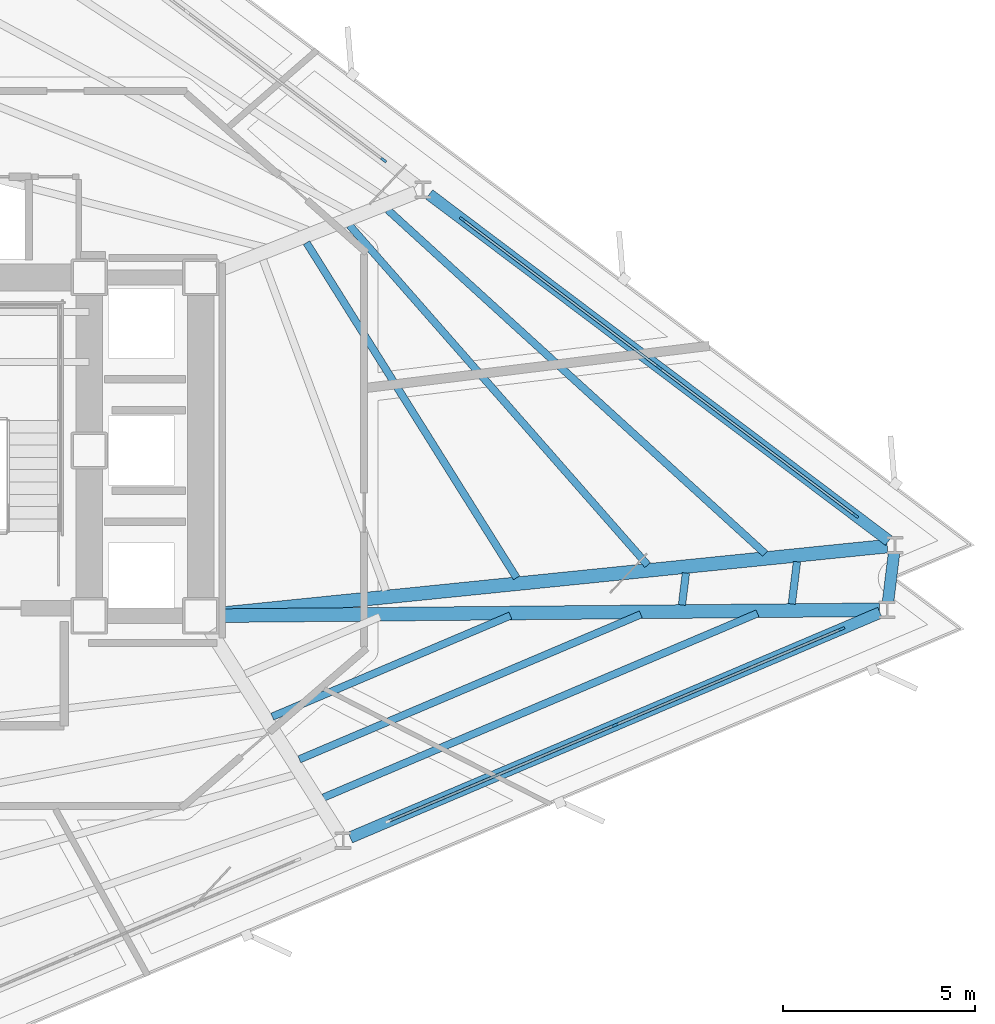
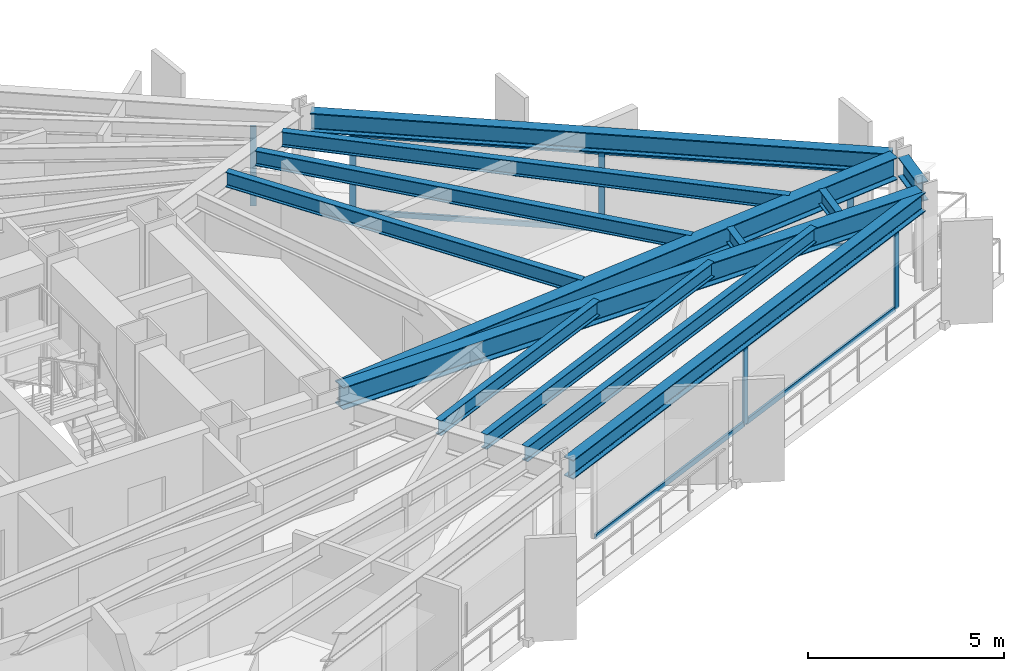
# One storey, part 4 of 13: 14 members, 13 beams, 3 elements without a shape of their own.
"""IFC4 building model written with IfcOpenShell, lengths in metres."""

from ifc_helpers import new_model, si_unit, direction, frame, origin, origin_2d, place, context, subcontext, project, spatial, rectangle, i_section, extrude, material, layer, layer_set, material_profile, profile_set, type_object, element, aggregate, save


model = new_model("IFC4")

# Units and contexts
model_context = context("Model", 3, precision=1e-05, world=origin(), true_north=direction((0.0, 1.0)))
body_context = subcontext(model_context, "Body", "Model", "MODEL_VIEW")
ifc_project = project(units=[si_unit("LENGTHUNIT", "METRE"), si_unit("AREAUNIT", "SQUARE_METRE"), si_unit("VOLUMEUNIT", "CUBIC_METRE"), si_unit("PLANEANGLEUNIT", "RADIAN"), si_unit("MASSUNIT", "GRAM", prefix="KILO")], contexts=[model_context])

# Site, building, storey
site_placement = place(None, origin())
site = spatial("IfcSite", under=ifc_project, at=site_placement, CompositionType="ELEMENT")
building_placement = place(site_placement, origin())
building = spatial("IfcBuilding", under=site, at=building_placement, Name="Rocaltana Carrier Exchange", CompositionType="ELEMENT")
storey_placement = place(building_placement, frame((0.0, 0.0, 63.0400390625)))
storey = spatial("IfcBuildingStorey", under=building, at=storey_placement, Name="L19", CompositionType="ELEMENT", Elevation=63.0400390625)

# Curtain wall, members
ifc_material_1 = material(Name="Aluminium 6063-T6", Category="aluminium")
ifc_layer = layer(ifc_material_1, 0.1650390625)
ifc_layer_set = layer_set([ifc_layer], Name="Aluminium 6063-T6")
curtain_wall_type = type_object("IfcCurtainWallType", Name="Lower-Mid Stepped Curtain Wall CW-02", PredefinedType="NOTDEFINED", material=ifc_layer_set)
curtain_wall_1_placement = place(storey_placement, origin())
curtain_wall_1 = element("IfcCurtainWall", 1, at=curtain_wall_1_placement, inside=storey, type_object=curtain_wall_type, Name="L19 CW-02 Run CW-L19-F1S1", PredefinedType="NOTDEFINED")
ifc_material_2 = material(Name="Aluminium 6063-T6", Category="aluminium")
ifc_material_profile_1 = material_profile(ifc_material_2, rectangle(XDim=0.06494140625, YDim=0.1650390625, at=origin_2d()), Name="AL-65X165")
ifc_profile_set_1 = profile_set([ifc_material_profile_1], Name="Aluminium 6063-T6")
member_type_1 = type_object("IfcMemberType", Name="CW-02 Mullion AL-65X165", PredefinedType="MULLION", material=ifc_profile_set_1)
member_1_placement = place(storey_placement, frame((25.978759765625, -1.69482421875, 0.0), z_axis=(0.0, 0.0, 1.0), x_axis=(-0.601806560833, -0.798641886792, 0.0)))
member_1 = element("IfcMember", 2, at=member_1_placement, type_object=member_type_1, Name="CW-02 mullion 1", PredefinedType="MULLION", context=body_context, shape_type="SweptSolid", body=[
    extrude(rectangle(XDim=0.06494140625, YDim=0.1650390625, at=origin_2d()), origin(), (0.0, 0.0, 1.0), 2.47802734375),
])
member_2_placement = place(storey_placement, frame((20.86669921875, 2.1572265625, 0.0), z_axis=(0.0, 0.0, 1.0), x_axis=(-0.601806560833, -0.798641886792, 0.0)))
member_2 = element("IfcMember", 3, at=member_2_placement, type_object=member_type_1, Name="CW-02 mullion 2", PredefinedType="MULLION", context=body_context, shape_type="SweptSolid", body=[
    extrude(rectangle(XDim=0.06494140625, YDim=0.1650390625, at=origin_2d()), origin(), (0.0, 0.0, 1.0), 2.47802734375),
])
member_3_placement = place(storey_placement, frame((15.754638671875, 6.00927734375, 0.0), z_axis=(0.0, 0.0, 1.0), x_axis=(-0.601806560833, -0.798641886792, 0.0)))
member_3 = element("IfcMember", 4, at=member_3_placement, type_object=member_type_1, Name="CW-02 mullion 3", PredefinedType="MULLION", context=body_context, shape_type="SweptSolid", body=[
    extrude(rectangle(XDim=0.06494140625, YDim=0.1650390625, at=origin_2d()), origin(), (0.0, 0.0, 1.0), 2.47802734375),
])

# Curtain wall, member
curtain_wall_2_placement = place(storey_placement, origin())
curtain_wall_2 = element("IfcCurtainWall", 5, at=curtain_wall_2_placement, inside=storey, type_object=curtain_wall_type, Name="L19 CW-02 Run CW-L19-F1S2", PredefinedType="NOTDEFINED")
member_4_placement = place(storey_placement, frame((13.706298828125, 7.552978515625, 0.0), z_axis=(0.0, 0.0, 1.0), x_axis=(-0.601815253533, -0.798635336443, 0.0)))
member_4 = element("IfcMember", 6, at=member_4_placement, type_object=member_type_1, Name="CW-02 mullion 1", PredefinedType="MULLION", context=body_context, shape_type="SweptSolid", body=[
    extrude(rectangle(XDim=0.06494140625, YDim=0.1650390625, at=origin_2d()), origin(), (0.0, 0.0, 1.0), 2.47802734375),
])
aggregate(curtain_wall_2, [member_4])

# Curtain wall, members
curtain_wall_3_placement = place(storey_placement, origin())
curtain_wall_3 = element("IfcCurtainWall", 7, at=curtain_wall_3_placement, inside=storey, type_object=curtain_wall_type, Name="L19 CW-02 Run CW-L19-F3S3", PredefinedType="NOTDEFINED")
member_5_placement = place(storey_placement, frame((19.72509765625, -7.141357421875, 0.0), z_axis=(0.0, 0.0, 1.0), x_axis=(-0.390735259141, 0.920503100084, 0.0)))
member_5 = element("IfcMember", 8, at=member_5_placement, type_object=member_type_1, Name="CW-02 mullion 2", PredefinedType="MULLION", context=body_context, shape_type="SweptSolid", body=[
    extrude(rectangle(XDim=0.06494140625, YDim=0.1650390625, at=origin_2d()), origin(), (0.0, 0.0, 1.0), 2.47802734375),
])
member_6_placement = place(storey_placement, frame((25.6171875, -4.64013671875, 0.0), z_axis=(0.0, 0.0, 1.0), x_axis=(-0.390735259141, 0.920503100084, 0.0)))
member_6 = element("IfcMember", 9, at=member_6_placement, type_object=member_type_1, Name="CW-02 mullion 3", PredefinedType="MULLION", context=body_context, shape_type="SweptSolid", body=[
    extrude(rectangle(XDim=0.06494140625, YDim=0.1650390625, at=origin_2d()), origin(), (0.0, 0.0, 1.0), 2.47802734375),
])

# Member
ifc_material_3 = material(Name="Aluminium 6063-T6", Category="aluminium")
ifc_material_profile_2 = material_profile(ifc_material_3, rectangle(XDim=0.06494140625, YDim=0.1650390625, at=origin_2d()), Name="AL-65X165")
ifc_profile_set_2 = profile_set([ifc_material_profile_2], Name="Aluminium 6063-T6")
member_type_2 = type_object("IfcMemberType", Name="CW-02 Transom AL-65X165", PredefinedType="USERDEFINED", material=ifc_profile_set_2)
member_7_placement = place(storey_placement, frame((25.95263671875, -1.67529296875, 0.032470703125), z_axis=(-0.798638496284, 0.601811060261, 0.0), x_axis=(-0.601811060261, -0.798638496284, 0.0)))
member_7 = element("IfcMember", 10, at=member_7_placement, type_object=member_type_2, Name="CW-02 transom 1.1", ObjectType="TRANSOM", PredefinedType="USERDEFINED", context=body_context, shape_type="SweptSolid", body=[
    extrude(rectangle(XDim=0.06494140625, YDim=0.1650390625, at=origin_2d()), origin(), (0.0, 0.0, 1.0), 6.3359375),
])

member_8_placement = place(storey_placement, frame((25.95263671875, -1.67529296875, 2.445556640625), z_axis=(-0.798638496284, 0.601811060261, 0.0), x_axis=(-0.601811060261, -0.798638496284, 0.0)))
member_8 = element("IfcMember", 11, at=member_8_placement, type_object=member_type_2, Name="CW-02 transom 1.2", ObjectType="TRANSOM", PredefinedType="USERDEFINED", context=body_context, shape_type="SweptSolid", body=[
    extrude(rectangle(XDim=0.06494140625, YDim=0.1650390625, at=origin_2d()), origin(), (0.0, 0.0, 1.0), 6.3359375),
])

member_9_placement = place(storey_placement, frame((20.8408203125, 2.1767578125, 0.032470703125), z_axis=(-0.798638496284, 0.601811060261, 0.0), x_axis=(-0.601811060261, -0.798638496284, 0.0)))
member_9 = element("IfcMember", 12, at=member_9_placement, type_object=member_type_2, Name="CW-02 transom 2.1", ObjectType="TRANSOM", PredefinedType="USERDEFINED", context=body_context, shape_type="SweptSolid", body=[
    extrude(rectangle(XDim=0.06494140625, YDim=0.1650390625, at=origin_2d()), origin(), (0.0, 0.0, 1.0), 6.3359375),
])

member_10_placement = place(storey_placement, frame((20.8408203125, 2.1767578125, 2.445556640625), z_axis=(-0.798638496284, 0.601811060261, 0.0), x_axis=(-0.601811060261, -0.798638496284, 0.0)))
member_10 = element("IfcMember", 13, at=member_10_placement, type_object=member_type_2, Name="CW-02 transom 2.2", ObjectType="TRANSOM", PredefinedType="USERDEFINED", context=body_context, shape_type="SweptSolid", body=[
    extrude(rectangle(XDim=0.06494140625, YDim=0.1650390625, at=origin_2d()), origin(), (0.0, 0.0, 1.0), 6.3359375),
])

aggregate(curtain_wall_1, [member_1, member_2, member_3, member_7, member_8, member_9, member_10])

member_11_placement = place(storey_placement, frame((13.863037109375, -9.629638671875, 0.032470703125), z_axis=(0.920502835622, 0.390735882167, 0.0), x_axis=(-0.390735882167, 0.920502835622, 0.0)))
member_11 = element("IfcMember", 14, at=member_11_placement, type_object=member_type_2, Name="CW-02 transom 1.1", ObjectType="TRANSOM", PredefinedType="USERDEFINED", context=body_context, shape_type="SweptSolid", body=[
    extrude(rectangle(XDim=0.06494140625, YDim=0.1650390625, at=origin_2d()), origin(), (0.0, 0.0, 1.0), 6.335693359375),
])

member_12_placement = place(storey_placement, frame((13.863037109375, -9.629638671875, 2.445556640625), z_axis=(0.920502835622, 0.390735882167, 0.0), x_axis=(-0.390735882167, 0.920502835622, 0.0)))
member_12 = element("IfcMember", 15, at=member_12_placement, type_object=member_type_2, Name="CW-02 transom 1.2", ObjectType="TRANSOM", PredefinedType="USERDEFINED", context=body_context, shape_type="SweptSolid", body=[
    extrude(rectangle(XDim=0.06494140625, YDim=0.1650390625, at=origin_2d()), origin(), (0.0, 0.0, 1.0), 6.335693359375),
])

member_13_placement = place(storey_placement, frame((19.7548828125, -7.128662109375, 0.032470703125), z_axis=(0.920494859312, 0.390754672372, 0.0), x_axis=(-0.390754672372, 0.920494859312, 0.0)))
member_13 = element("IfcMember", 16, at=member_13_placement, type_object=member_type_2, Name="CW-02 transom 2.1", ObjectType="TRANSOM", PredefinedType="USERDEFINED", context=body_context, shape_type="SweptSolid", body=[
    extrude(rectangle(XDim=0.06494140625, YDim=0.1650390625, at=origin_2d()), origin(), (0.0, 0.0, 1.0), 6.3359375),
])

member_14_placement = place(storey_placement, frame((19.7548828125, -7.128662109375, 2.445556640625), z_axis=(0.920494859312, 0.390754672372, 0.0), x_axis=(-0.390754672372, 0.920494859312, 0.0)))
member_14 = element("IfcMember", 17, at=member_14_placement, type_object=member_type_2, Name="CW-02 transom 2.2", ObjectType="TRANSOM", PredefinedType="USERDEFINED", context=body_context, shape_type="SweptSolid", body=[
    extrude(rectangle(XDim=0.06494140625, YDim=0.1650390625, at=origin_2d()), origin(), (0.0, 0.0, 1.0), 6.3359375),
])

aggregate(curtain_wall_3, [member_5, member_6, member_11, member_12, member_13, member_14])

# Beams
ifc_material_4 = material(Name="Steel S355", Category="steel")
ifc_material_profile_3 = material_profile(ifc_material_4, i_section(OverallWidth=0.193115234375, OverallDepth=0.466064453125, WebThickness=0.011474609375, FlangeThickness=0.01904296875, FilletRadius=0.013916015625, at=origin_2d()), Name="W18X65")
ifc_profile_set_3 = profile_set([ifc_material_profile_3], Name="Steel S355")
beam_type_1 = type_object("IfcBeamType", Name="Floor Joist W18X65", PredefinedType="JOIST", material=ifc_profile_set_3)
beam_1_placement = place(storey_placement, frame((17.1630859375, -3.311279296875, 2.864990234375), z_axis=(-0.531103653512, 0.847306856591, 0.0), x_axis=(-0.847306856591, -0.531103653512, 0.0)))
element("IfcBeam", 18, at=beam_1_placement, inside=storey, type_object=beam_type_1, Name="FJ-L19-01-2", PredefinedType="JOIST", context=body_context, shape_type="SweptSolid", body=[
    extrude(i_section(OverallWidth=0.193115234375, OverallDepth=0.466064453125, WebThickness=0.011474609375, FlangeThickness=0.01904296875, FilletRadius=0.013916015625, at=origin_2d()), origin(), (0.0, 0.0, 1.0), 10.285888671875),
])
beam_2_placement = place(storey_placement, frame((20.5712890625, -2.9794921875, 2.864990234375), z_axis=(-0.659558512546, 0.751653223587, 0.0), x_axis=(-0.751653223587, -0.659558512546, 0.0)))
element("IfcBeam", 19, at=beam_2_placement, inside=storey, type_object=beam_type_1, Name="FJ-L19-01-3", PredefinedType="JOIST", context=body_context, shape_type="SweptSolid", body=[
    extrude(i_section(OverallWidth=0.193115234375, OverallDepth=0.466064453125, WebThickness=0.011474609375, FlangeThickness=0.01904296875, FilletRadius=0.013916015625, at=origin_2d()), origin(), (0.0, 0.0, 1.0), 11.751708984375),
])
beam_3_placement = place(storey_placement, frame((23.626708984375, -2.68115234375, 2.864990234375), z_axis=(-0.739263706451, 0.673416046976, 0.0), x_axis=(-0.673416046976, -0.739263706451, 0.0)))
element("IfcBeam", 20, at=beam_3_placement, inside=storey, type_object=beam_type_1, Name="FJ-L19-01-4", PredefinedType="JOIST", context=body_context, shape_type="SweptSolid", body=[
    extrude(i_section(OverallWidth=0.193115234375, OverallDepth=0.466064453125, WebThickness=0.011474609375, FlangeThickness=0.01904296875, FilletRadius=0.013916015625, at=origin_2d()), origin(), (0.0, 0.0, 1.0), 13.269775390625),
])
beam_4_placement = place(storey_placement, frame((10.81103515625, -6.9208984375, 2.864990234375), z_axis=(0.920502665094, 0.390736283898, 0.0), x_axis=(-0.390736283898, 0.920502665094, 0.0)))
element("IfcBeam", 21, at=beam_4_placement, inside=storey, type_object=beam_type_1, Name="FJ-L19-11-2", PredefinedType="JOIST", context=body_context, shape_type="SweptSolid", body=[
    extrude(i_section(OverallWidth=0.193115234375, OverallDepth=0.466064453125, WebThickness=0.011474609375, FlangeThickness=0.01904296875, FilletRadius=0.013916015625, at=origin_2d()), origin(), (0.0, 0.0, 1.0), 6.7255859375),
])
beam_5_placement = place(storey_placement, frame((11.514404296875, -8.03125, 2.864990234375), z_axis=(0.920503721311, 0.390733795636, 0.0), x_axis=(-0.390733795636, 0.920503721311, 0.0)))
element("IfcBeam", 22, at=beam_5_placement, inside=storey, type_object=beam_type_1, Name="FJ-L19-11-3", PredefinedType="JOIST", context=body_context, shape_type="SweptSolid", body=[
    extrude(i_section(OverallWidth=0.193115234375, OverallDepth=0.466064453125, WebThickness=0.011474609375, FlangeThickness=0.01904296875, FilletRadius=0.013916015625, at=origin_2d()), origin(), (0.0, 0.0, 1.0), 9.6455078125),
])
beam_6_placement = place(storey_placement, frame((12.143798828125, -9.024658203125, 2.864990234375), z_axis=(0.920504513762, 0.390731928749, 0.0), x_axis=(-0.390731928749, 0.920504513762, 0.0)))
element("IfcBeam", 23, at=beam_6_placement, inside=storey, type_object=beam_type_1, Name="FJ-L19-11-4", PredefinedType="JOIST", context=body_context, shape_type="SweptSolid", body=[
    extrude(i_section(OverallWidth=0.193115234375, OverallDepth=0.466064453125, WebThickness=0.011474609375, FlangeThickness=0.01904296875, FilletRadius=0.013916015625, at=origin_2d()), origin(), (0.0, 0.0, 1.0), 12.2578125),
])
beam_7_placement = place(storey_placement, frame((21.464111328125, -4.01708984375, 2.864990234375), z_axis=(0.122022478493, 0.992527337025, 0.0), x_axis=(-0.992527337025, 0.122022478493, 0.0)))
element("IfcBeam", 24, at=beam_7_placement, inside=storey, type_object=beam_type_1, Name="FJ-L19-12-3", PredefinedType="JOIST", context=body_context, shape_type="SweptSolid", body=[
    extrude(i_section(OverallWidth=0.193115234375, OverallDepth=0.466064453125, WebThickness=0.011474609375, FlangeThickness=0.01904296875, FilletRadius=0.013916015625, at=origin_2d()), origin(), (0.0, 0.0, 1.0), 0.83642578125),
])
beam_8_placement = place(storey_placement, frame((24.31982421875, -3.991455078125, 2.864990234375), z_axis=(0.121834081675, 0.992550480602, 0.0), x_axis=(-0.992550480602, 0.121834081675, 0.0)))
element("IfcBeam", 25, at=beam_8_placement, inside=storey, type_object=beam_type_1, Name="FJ-L19-12-4", PredefinedType="JOIST", context=body_context, shape_type="SweptSolid", body=[
    extrude(i_section(OverallWidth=0.193115234375, OverallDepth=0.466064453125, WebThickness=0.011474609375, FlangeThickness=0.01904296875, FilletRadius=0.013916015625, at=origin_2d()), origin(), (0.0, 0.0, 1.0), 1.106201171875),
])
ifc_material_5 = material(Name="Steel S355", Category="steel")
ifc_material_profile_4 = material_profile(ifc_material_5, i_section(OverallWidth=0.35498046875, OverallDepth=0.695068359375, WebThickness=0.015380859375, FlangeThickness=0.02490234375, FilletRadius=0.01806640625, at=origin_2d()), Name="W27X146")
ifc_profile_set_4 = profile_set([ifc_material_profile_4], Name="Steel S355")
beam_type_2 = type_object("IfcBeamType", Name="Radial Girder W27X146", PredefinedType="BEAM", material=ifc_profile_set_4)
beam_9_placement = place(storey_placement, frame((9.41455078125, -4.252685546875, 2.75048828125), z_axis=(0.994884315386, 0.101020784983, 0.0), x_axis=(-0.101020784983, 0.994884315386, 0.0)))
element("IfcBeam", 26, at=beam_9_placement, inside=storey, type_object=beam_type_2, Name="RG-L19-01", PredefinedType="BEAM", context=body_context, shape_type="SweptSolid", body=[
    extrude(i_section(OverallWidth=0.35498046875, OverallDepth=0.695068359375, WebThickness=0.015380859375, FlangeThickness=0.02490234375, FilletRadius=0.01806640625, at=origin_2d()), origin(), (0.0, 0.0, 1.0), 17.477783203125),
])
beam_10_placement = place(storey_placement, frame((9.4169921875, -4.2958984375, 2.75048828125), z_axis=(0.999959286305, 0.009023620777, 0.0), x_axis=(-0.009023620777, 0.999959286305, 0.0)))
element("IfcBeam", 27, at=beam_10_placement, inside=storey, type_object=beam_type_2, Name="RG-L19-12", PredefinedType="BEAM", context=body_context, shape_type="SweptSolid", body=[
    extrude(i_section(OverallWidth=0.35498046875, OverallDepth=0.695068359375, WebThickness=0.015380859375, FlangeThickness=0.02490234375, FilletRadius=0.01806640625, at=origin_2d()), origin(), (0.0, 0.0, 1.0), 17.180419921875),
])
ifc_material_6 = material(Name="Steel S355", Category="steel")
ifc_material_profile_5 = material_profile(ifc_material_6, i_section(OverallWidth=0.300048828125, OverallDepth=0.60009765625, WebThickness=0.015380859375, FlangeThickness=0.030029296875, FilletRadius=0.027099609375, at=origin_2d()), Name="HEB600")
ifc_profile_set_5 = profile_set([ifc_material_profile_5], Name="Steel S355")
beam_type_3 = type_object("IfcBeamType", Name="Spandrel Edge Beam HEB600", PredefinedType="SPANDREL", material=ifc_profile_set_5)
beam_11_placement = place(storey_placement, frame((26.84228515625, -2.345703125, 2.7978515625), z_axis=(-0.798635336445, 0.60181525353, 0.0), x_axis=(-0.60181525353, -0.798635336445, 0.0)))
element("IfcBeam", 28, at=beam_11_placement, inside=storey, type_object=beam_type_3, Name="SP-L19-01", PredefinedType="SPANDREL", context=body_context, shape_type="SweptSolid", body=[
    extrude(i_section(OverallWidth=0.300048828125, OverallDepth=0.60009765625, WebThickness=0.015380859375, FlangeThickness=0.030029296875, FilletRadius=0.027099609375, at=origin_2d()), origin(), (0.0, 0.0, 1.0), 14.964599609375),
])
beam_12_placement = place(storey_placement, frame((12.83740234375, -10.06494140625, 2.7978515625), z_axis=(0.920499822103, 0.390742981394, 0.0), x_axis=(-0.390742981394, 0.920499822103, 0.0)))
element("IfcBeam", 29, at=beam_12_placement, inside=storey, type_object=beam_type_3, Name="SP-L19-11", PredefinedType="SPANDREL", context=body_context, shape_type="SweptSolid", body=[
    extrude(i_section(OverallWidth=0.300048828125, OverallDepth=0.60009765625, WebThickness=0.015380859375, FlangeThickness=0.030029296875, FilletRadius=0.027099609375, at=origin_2d()), origin(), (0.0, 0.0, 1.0), 14.96484375),
])
beam_13_placement = place(storey_placement, frame((26.822021484375, -3.939697265625, 2.7978515625), z_axis=(0.121973520022, 0.992533354812, 0.0), x_axis=(-0.992533354812, 0.121973520022, 0.0)))
element("IfcBeam", 30, at=beam_13_placement, inside=storey, type_object=beam_type_3, Name="SP-L19-12", PredefinedType="SPANDREL", context=body_context, shape_type="SweptSolid", body=[
    extrude(i_section(OverallWidth=0.300048828125, OverallDepth=0.60009765625, WebThickness=0.015380859375, FlangeThickness=0.030029296875, FilletRadius=0.027099609375, at=origin_2d()), origin(), (0.0, 0.0, 1.0), 1.282958984375),
])

save(model, "model.ifc")
